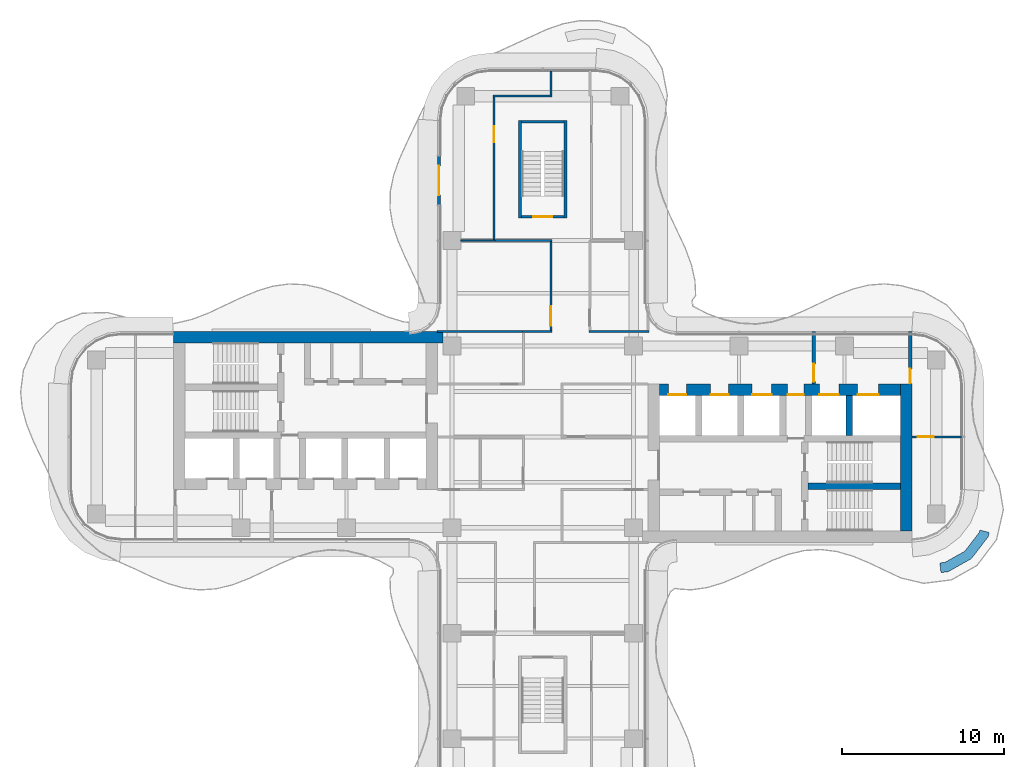
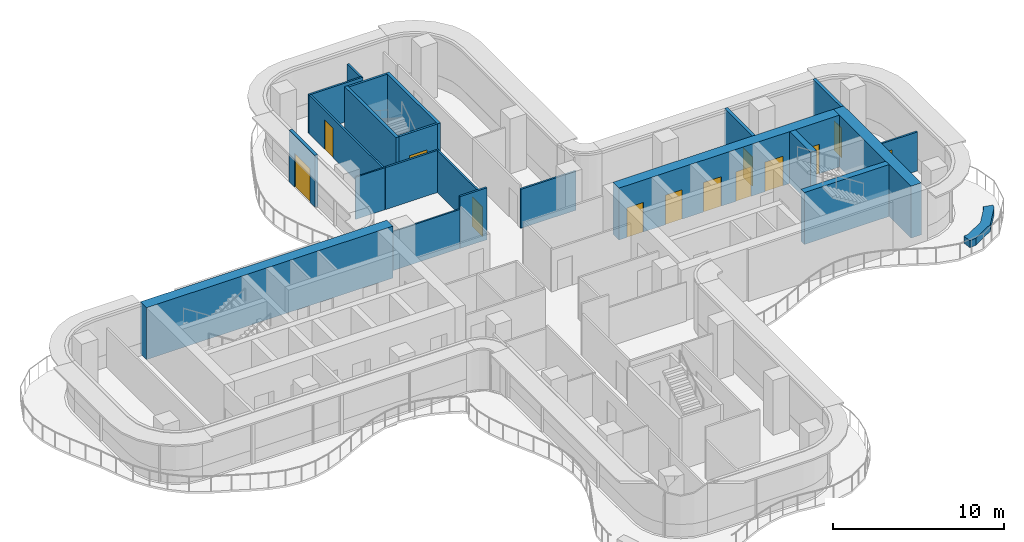
# One storey, part 14 of 17: 23 walls, 13 doors, 13 openings.
"""IFC4 building model written with IfcOpenShell, lengths in metres."""

from ifc_helpers import new_model, si_unit, direction, frame, frame_2d, origin, place, context, subcontext, project, spatial, polyline, rectangle, outline, extrude, source, transform, mapped, material, layer, layer_set, type_object, element, fill, save


model = new_model("IFC4")

# Units and contexts
model_context = context("Model", 3, precision=1e-05, world=origin(), true_north=direction((0.0, 1.0)))
body_context = subcontext(model_context, "Body", "Model", "MODEL_VIEW")
ifc_project = project(units=[si_unit("LENGTHUNIT", "METRE"), si_unit("AREAUNIT", "SQUARE_METRE"), si_unit("VOLUMEUNIT", "CUBIC_METRE"), si_unit("PLANEANGLEUNIT", "RADIAN"), si_unit("MASSUNIT", "GRAM", prefix="KILO")], contexts=[model_context])

# Site, building, storey
site_placement = place(None, origin())
site = spatial("IfcSite", under=ifc_project, at=site_placement, CompositionType="ELEMENT")
building_placement = place(site_placement, origin())
building = spatial("IfcBuilding", under=site, at=building_placement, Name="Trellis Farm Tower", CompositionType="ELEMENT")
storey_placement = place(building_placement, frame((0.0, 0.0, 232.39990234375)))
storey = spatial("IfcBuildingStorey", under=building, at=storey_placement, Name="L51", CompositionType="ELEMENT", Elevation=232.39990234375)

# Walls
ifc_material_1 = material(Name="Sandstone faced masonry planter", Category="masonry")
ifc_layer_1 = layer(ifc_material_1, 0.60009765625)
ifc_layer_set_1 = layer_set([ifc_layer_1], Name="PLANTER BED 600")
wall_type_1 = type_object("IfcWallType", Name="PLANTER BED 600", PredefinedType="USERDEFINED", material=ifc_layer_set_1)
wall_1_placement = place(storey_placement, origin())
element("IfcWall", 1, at=wall_1_placement, inside=storey, type_object=wall_type_1, Name="PLANTER bed", ObjectType="PLANTER", PredefinedType="USERDEFINED", context=body_context, shape_type="SweptSolid", body=[
    extrude(outline(polyline([(26.418212890625, -7.5048828125), (24.976318359375, -8.314453125), (24.542236328125, -8.364013671875), (24.473876953125, -7.76806640625), (24.7880859375, -7.73193359375), (26.01708984375, -7.0419921875), (26.90673828125, -5.882080078125), (26.939453125, -5.74658203125), (27.522705078125, -5.886962890625), (27.460205078125, -6.146240234375), (26.418212890625, -7.5048828125)])), origin(), (0.0, 0.0, 1.0), 0.5),
])
ifc_material_2 = material(Name="Concrete C60/75", Category="concrete")
ifc_layer_2 = layer(ifc_material_2, 0.699951171875)
ifc_layer_set_2 = layer_set([ifc_layer_2], Name="CORE OUTER WALL 700 CONCRETE C60/75")
wall_type_2 = type_object("IfcWallType", Name="CORE OUTER WALL 700 CONCRETE C60/75", PredefinedType="SHEAR", material=ifc_layer_set_2)
shared_shape_1 = source(origin(), body_context, "Body", "SweptSolid", [
    extrude(rectangle(XDim=9.050048828125, YDim=0.699951171875, at=frame_2d((4.52490234375, 0.0))), origin(), (0.0, 0.0, 1.0), 3.7001953125),
])
wall_2_placement = place(storey_placement, frame((22.39990234375, -5.800048828125, 0.0), z_axis=(0.0, 0.0, 1.0), x_axis=(0.0, 1.0, 0.0)))
element("IfcWall", 2, at=wall_2_placement, inside=storey, type_object=wall_type_2, Name="Core wall", PredefinedType="SHEAR", context=body_context, shape_type="MappedRepresentation", body=[
    mapped(shared_shape_1, transform((0.0, 0.0, 0.0))),
])
ifc_layer_3 = layer(ifc_material_2, 0.39990234375)
ifc_layer_set_3 = layer_set([ifc_layer_3], Name="CORE INNER WALL 400 CONCRETE C60/75")
wall_type_3 = type_object("IfcWallType", Name="CORE INNER WALL 400 CONCRETE C60/75", PredefinedType="SHEAR", material=ifc_layer_set_3)
shared_shape_2 = source(origin(), body_context, "Body", "SweptSolid", [
    extrude(rectangle(XDim=2.449951171875, YDim=0.39990234375, at=frame_2d((1.22509765625, 0.0))), origin(), (0.0, 0.0, 1.0), 3.7001953125),
])
wall_3_placement = place(storey_placement, frame((18.89990234375, 0.10009765625, 0.0), z_axis=(0.0, 0.0, 1.0), x_axis=(0.0, 1.0, 0.0)))
element("IfcWall", 3, at=wall_3_placement, inside=storey, type_object=wall_type_3, Name="Core wall", PredefinedType="SHEAR", context=body_context, shape_type="MappedRepresentation", body=[
    mapped(shared_shape_2, transform((0.0, 0.0, 0.0))),
])

# Wall, opening, door
ifc_material_3 = material(Name="Masonry blockwork", Category="masonry")
ifc_layer_4 = layer(ifc_material_3, 0.199951171875)
ifc_layer_set_4 = layer_set([ifc_layer_4], Name="FIRE LOBBY PARTITION 200 BLOCKWORK")
wall_type_4 = type_object("IfcWallType", Name="FIRE LOBBY PARTITION 200 BLOCKWORK", PredefinedType="PARTITIONING", material=ifc_layer_set_4)
shared_shape_3 = source(origin(), body_context, "Body", "SweptSolid", [
    extrude(rectangle(XDim=3.25, YDim=0.199951171875, at=frame_2d((1.625, 0.0))), origin(), (0.0, 0.0, 1.0), 3.7001953125),
])
wall_4_placement = place(storey_placement, frame((16.699951171875, 3.25, 0.0), z_axis=(0.0, 0.0, 1.0), x_axis=(0.0, 1.0, 0.0)))
wall_4 = element("IfcWall", 4, at=wall_4_placement, inside=storey, type_object=wall_type_4, Name="Fire-fighting lobby partition", PredefinedType="PARTITIONING", context=body_context, shape_type="MappedRepresentation", body=[
    mapped(shared_shape_3, transform((0.0, 0.0, 0.0))),
])
shared_shape_4 = source(origin(), body_context, "Body", "SweptSolid", [
    extrude(rectangle(XDim=1.10009765625, YDim=2.10009765625, at=frame_2d((0.550048828125, 1.050048828125))), frame((0.0, 0.110107421875, 0.0), z_axis=(0.0, -1.0, 0.0), x_axis=(1.0, 0.0, 0.0)), (0.0, 0.0, 1.0), 0.22021484375),
])
opening_1_placement = place(wall_4_placement, frame((0.14990234375, 0.0, 0.0)))
opening_1 = element("IfcOpeningElement", 5, at=opening_1_placement, cuts=wall_4, Name="Opening DC7", PredefinedType="OPENING", context=body_context, shape_type="MappedRepresentation", body=[
    mapped(shared_shape_4, transform((0.0, 0.0, 0.0))),
])
ifc_material_4 = material(Name="Steel", Category="steel")
door_type_1 = type_object("IfcDoorType", Name="CORE FIRE DOOR 1100 X 2100", OperationType="NOTDEFINED", PredefinedType="DOOR", material=ifc_material_4)
shared_shape_5 = source(origin(), body_context, "Body", "SweptSolid", [
    extrude(rectangle(XDim=1.10009765625, YDim=2.10009765625, at=frame_2d((0.550048828125, 1.050048828125))), frame((0.0, 0.02490234375, 0.0), z_axis=(0.0, -1.0, 0.0), x_axis=(1.0, 0.0, 0.0)), (0.0, 0.0, 1.0), 0.050048828125),
])
door_1_placement = place(opening_1_placement, origin())
door_1 = element("IfcDoor", 6, at=door_1_placement, inside=storey, type_object=door_type_1, Name="Core door", OperationType="SINGLE_SWING_RIGHT", OverallHeight=2.10009765625, OverallWidth=1.10009765625, PredefinedType="DOOR", context=body_context, shape_type="MappedRepresentation", body=[
    mapped(shared_shape_5, transform((0.0, 0.0, 0.0))),
])
fill(opening_1, door_1)

wall_5_placement = place(storey_placement, frame((22.64990234375, 3.25, 0.0), z_axis=(0.0, 0.0, 1.0), x_axis=(0.0, 1.0, 0.0)))
wall_5 = element("IfcWall", 7, at=wall_5_placement, inside=storey, type_object=wall_type_4, Name="Fire-fighting lobby partition", PredefinedType="PARTITIONING", context=body_context, shape_type="MappedRepresentation", body=[
    mapped(shared_shape_3, transform((0.0, 0.0, 0.0))),
])
shared_shape_6 = source(origin(), body_context, "Body", "SweptSolid", [
    extrude(rectangle(XDim=0.89990234375, YDim=2.10009765625, at=frame_2d((0.449951171875, 1.050048828125))), frame((0.0, 0.110107421875, 0.0), z_axis=(0.0, -1.0, 0.0), x_axis=(1.0, 0.0, 0.0)), (0.0, 0.0, 1.0), 0.22021484375),
])
opening_2_placement = place(wall_5_placement, frame((0.050048828125, 0.0, 0.0)))
opening_2 = element("IfcOpeningElement", 8, at=opening_2_placement, cuts=wall_5, Name="Opening DC8", PredefinedType="OPENING", context=body_context, shape_type="MappedRepresentation", body=[
    mapped(shared_shape_6, transform((0.0, 0.0, 0.0))),
])
door_type_2 = type_object("IfcDoorType", Name="CORE FIRE DOOR 900 X 2100", OperationType="NOTDEFINED", PredefinedType="DOOR", material=ifc_material_4)
shared_shape_7 = source(origin(), body_context, "Body", "SweptSolid", [
    extrude(rectangle(XDim=0.89990234375, YDim=2.10009765625, at=frame_2d((0.449951171875, 1.050048828125))), frame((0.0, 0.02490234375, 0.0), z_axis=(0.0, -1.0, 0.0), x_axis=(1.0, 0.0, 0.0)), (0.0, 0.0, 1.0), 0.050048828125),
])
door_2_placement = place(opening_2_placement, origin())
door_2 = element("IfcDoor", 9, at=door_2_placement, inside=storey, type_object=door_type_2, Name="Core door", OperationType="SINGLE_SWING_RIGHT", OverallHeight=2.10009765625, OverallWidth=0.89990234375, PredefinedType="DOOR", context=body_context, shape_type="MappedRepresentation", body=[
    mapped(shared_shape_7, transform((0.0, 0.0, 0.0))),
])
fill(opening_2, door_2)

# Wall, openings, doors
shared_shape_8 = source(origin(), body_context, "Body", "SweptSolid", [
    extrude(rectangle(XDim=14.85009765625, YDim=0.699951171875, at=frame_2d((7.425048828125, 0.0))), origin(), (0.0, 0.0, 1.0), 3.7001953125),
])
wall_6_placement = place(storey_placement, frame((7.199951171875, 2.89990234375, 0.0), z_axis=(0.0, 0.0, 1.0), x_axis=(1.0, 0.0, 0.0)))
wall_6 = element("IfcWall", 10, at=wall_6_placement, inside=storey, type_object=wall_type_2, Name="Core wall", PredefinedType="SHEAR", context=body_context, shape_type="MappedRepresentation", body=[
    mapped(shared_shape_8, transform((0.0, 0.0, 0.0))),
])
shared_shape_9 = source(origin(), body_context, "Body", "SweptSolid", [
    extrude(rectangle(XDim=1.10009765625, YDim=2.10009765625, at=frame_2d((0.550048828125, 1.050048828125))), frame((0.0, 0.360107421875, 0.0), z_axis=(0.0, -1.0, 0.0), x_axis=(1.0, 0.0, 0.0)), (0.0, 0.0, 1.0), 0.72021484375),
])
opening_3_placement = place(wall_6_placement, frame((0.550048828125, 0.0, 0.0)))
opening_3 = element("IfcOpeningElement", 11, at=opening_3_placement, cuts=wall_6, Name="Opening LD4", PredefinedType="OPENING", context=body_context, shape_type="MappedRepresentation", body=[
    mapped(shared_shape_9, transform((0.0, 0.0, 0.0))),
])
opening_4_placement = place(wall_6_placement, frame((3.14990234375, 0.0, 0.0)))
opening_4 = element("IfcOpeningElement", 12, at=opening_4_placement, cuts=wall_6, Name="Opening LD5", PredefinedType="OPENING", context=body_context, shape_type="MappedRepresentation", body=[
    mapped(shared_shape_9, transform((0.0, 0.0, 0.0))),
])
shared_shape_10 = source(origin(), body_context, "Body", "SweptSolid", [
    extrude(rectangle(XDim=1.199951171875, YDim=2.10009765625, at=frame_2d((0.60009765625, 1.050048828125))), frame((0.0, 0.360107421875, 0.0), z_axis=(0.0, -1.0, 0.0), x_axis=(1.0, 0.0, 0.0)), (0.0, 0.0, 1.0), 0.72021484375),
])
opening_5_placement = place(wall_6_placement, frame((5.699951171875, 0.0, 0.0)))
opening_5 = element("IfcOpeningElement", 13, at=opening_5_placement, cuts=wall_6, Name="Opening LD6", PredefinedType="OPENING", context=body_context, shape_type="MappedRepresentation", body=[
    mapped(shared_shape_10, transform((0.0, 0.0, 0.0))),
])
shared_shape_11 = source(origin(), body_context, "Body", "SweptSolid", [
    extrude(rectangle(XDim=1.300048828125, YDim=2.10009765625, at=frame_2d((0.64990234375, 1.050048828125))), frame((0.0, 0.360107421875, 0.0), z_axis=(0.0, -1.0, 0.0), x_axis=(1.0, 0.0, 0.0)), (0.0, 0.0, 1.0), 0.72021484375),
])
opening_6_placement = place(wall_6_placement, frame((12.199951171875, 0.0, 0.0)))
opening_6 = element("IfcOpeningElement", 14, at=opening_6_placement, cuts=wall_6, Name="Opening LD7", PredefinedType="OPENING", context=body_context, shape_type="MappedRepresentation", body=[
    mapped(shared_shape_11, transform((0.0, 0.0, 0.0))),
])
opening_7_placement = place(wall_6_placement, frame((9.85009765625, 0.0, 0.0)))
opening_7 = element("IfcOpeningElement", 15, at=opening_7_placement, cuts=wall_6, Name="Opening LD8", PredefinedType="OPENING", context=body_context, shape_type="MappedRepresentation", body=[
    mapped(shared_shape_10, transform((0.0, 0.0, 0.0))),
])
shared_shape_12 = source(origin(), body_context, "Body", "SweptSolid", [
    extrude(rectangle(XDim=1.0, YDim=2.10009765625, at=frame_2d((0.5, 1.050048828125))), frame((0.0, 0.360107421875, 0.0), z_axis=(0.0, -1.0, 0.0), x_axis=(1.0, 0.0, 0.0)), (0.0, 0.0, 1.0), 0.72021484375),
])
opening_8_placement = place(wall_6_placement, frame((7.89990234375, 0.0, 0.0)))
opening_8 = element("IfcOpeningElement", 16, at=opening_8_placement, cuts=wall_6, Name="Opening DC6", PredefinedType="OPENING", context=body_context, shape_type="MappedRepresentation", body=[
    mapped(shared_shape_12, transform((0.0, 0.0, 0.0))),
])
door_type_3 = type_object("IfcDoorType", Name="CORE FIRE DOOR 1000 X 2100", OperationType="NOTDEFINED", PredefinedType="DOOR", material=ifc_material_4)
shared_shape_13 = source(origin(), body_context, "Body", "SweptSolid", [
    extrude(rectangle(XDim=1.0, YDim=2.10009765625, at=frame_2d((0.5, 1.050048828125))), frame((0.0, -0.27490234375, 0.0), z_axis=(0.0, -1.0, 0.0), x_axis=(1.0, 0.0, 0.0)), (0.0, 0.0, 1.0), 0.050048828125),
])
door_3_placement = place(opening_8_placement, origin())
door_3 = element("IfcDoor", 17, at=door_3_placement, inside=storey, type_object=door_type_3, Name="Core door", OperationType="SINGLE_SWING_LEFT", OverallHeight=2.10009765625, OverallWidth=1.0, PredefinedType="DOOR", context=body_context, shape_type="MappedRepresentation", body=[
    mapped(shared_shape_13, transform((0.0, 0.0, 0.0))),
])
fill(opening_8, door_3)
ifc_material_5 = material(Name="Stainless steel", Category="steel")
door_type_4 = type_object("IfcDoorType", Name="LIFT LANDING DOOR 1300 X 2100", OperationType="DOUBLE_DOOR_SLIDING", PredefinedType="DOOR", material=ifc_material_5)
shared_shape_14 = source(origin(), body_context, "Body", "SweptSolid", [
    extrude(rectangle(XDim=1.300048828125, YDim=2.10009765625, at=frame_2d((0.64990234375, 1.050048828125))), frame((0.0, -0.27490234375, 0.0), z_axis=(0.0, -1.0, 0.0), x_axis=(1.0, 0.0, 0.0)), (0.0, 0.0, 1.0), 0.050048828125),
])
door_4_placement = place(opening_6_placement, origin())
door_4 = element("IfcDoor", 18, at=door_4_placement, inside=storey, type_object=door_type_4, Name="Lift landing door", OperationType="DOUBLE_DOOR_SLIDING", OverallHeight=2.10009765625, OverallWidth=1.300048828125, PredefinedType="DOOR", context=body_context, shape_type="MappedRepresentation", body=[
    mapped(shared_shape_14, transform((0.0, 0.0, 0.0))),
])
fill(opening_6, door_4)
door_type_5 = type_object("IfcDoorType", Name="LIFT LANDING DOOR 1200 X 2100", OperationType="DOUBLE_DOOR_SLIDING", PredefinedType="DOOR", material=ifc_material_5)
shared_shape_15 = source(origin(), body_context, "Body", "SweptSolid", [
    extrude(rectangle(XDim=1.199951171875, YDim=2.10009765625, at=frame_2d((0.60009765625, 1.050048828125))), frame((0.0, -0.27490234375, 0.0), z_axis=(0.0, -1.0, 0.0), x_axis=(1.0, 0.0, 0.0)), (0.0, 0.0, 1.0), 0.050048828125),
])
door_5_placement = place(opening_5_placement, origin())
door_5 = element("IfcDoor", 19, at=door_5_placement, inside=storey, type_object=door_type_5, Name="Lift landing door", OperationType="DOUBLE_DOOR_SLIDING", OverallHeight=2.10009765625, OverallWidth=1.199951171875, PredefinedType="DOOR", context=body_context, shape_type="MappedRepresentation", body=[
    mapped(shared_shape_15, transform((0.0, 0.0, 0.0))),
])
fill(opening_5, door_5)
door_6_placement = place(opening_7_placement, origin())
door_6 = element("IfcDoor", 20, at=door_6_placement, inside=storey, type_object=door_type_5, Name="Lift landing door", OperationType="DOUBLE_DOOR_SLIDING", OverallHeight=2.10009765625, OverallWidth=1.199951171875, PredefinedType="DOOR", context=body_context, shape_type="MappedRepresentation", body=[
    mapped(shared_shape_15, transform((0.0, 0.0, 0.0))),
])
fill(opening_7, door_6)
door_type_6 = type_object("IfcDoorType", Name="LIFT LANDING DOOR 1100 X 2100", OperationType="DOUBLE_DOOR_SLIDING", PredefinedType="DOOR", material=ifc_material_5)
shared_shape_16 = source(origin(), body_context, "Body", "SweptSolid", [
    extrude(rectangle(XDim=1.10009765625, YDim=2.10009765625, at=frame_2d((0.550048828125, 1.050048828125))), frame((0.0, -0.27490234375, 0.0), z_axis=(0.0, -1.0, 0.0), x_axis=(1.0, 0.0, 0.0)), (0.0, 0.0, 1.0), 0.050048828125),
])
door_7_placement = place(opening_3_placement, origin())
door_7 = element("IfcDoor", 21, at=door_7_placement, inside=storey, type_object=door_type_6, Name="Lift landing door", OperationType="DOUBLE_DOOR_SLIDING", OverallHeight=2.10009765625, OverallWidth=1.10009765625, PredefinedType="DOOR", context=body_context, shape_type="MappedRepresentation", body=[
    mapped(shared_shape_16, transform((0.0, 0.0, 0.0))),
])
fill(opening_3, door_7)
door_8_placement = place(opening_4_placement, origin())
door_8 = element("IfcDoor", 22, at=door_8_placement, inside=storey, type_object=door_type_6, Name="Lift landing door", OperationType="DOUBLE_DOOR_SLIDING", OverallHeight=2.10009765625, OverallWidth=1.10009765625, PredefinedType="DOOR", context=body_context, shape_type="MappedRepresentation", body=[
    mapped(shared_shape_16, transform((0.0, 0.0, 0.0))),
])
fill(opening_4, door_8)

# Walls
shared_shape_17 = source(origin(), body_context, "Body", "SweptSolid", [
    extrude(rectangle(XDim=5.699951171875, YDim=0.39990234375, at=frame_2d((2.85009765625, 0.0))), origin(), (0.0, 0.0, 1.0), 3.7001953125),
])
wall_7_placement = place(storey_placement, frame((16.35009765625, -3.050048828125, 0.0), z_axis=(0.0, 0.0, 1.0), x_axis=(1.0, 0.0, 0.0)))
element("IfcWall", 23, at=wall_7_placement, inside=storey, type_object=wall_type_3, Name="Core wall", PredefinedType="SHEAR", context=body_context, shape_type="MappedRepresentation", body=[
    mapped(shared_shape_17, transform((0.0, 0.0, 0.0))),
])
shared_shape_18 = source(origin(), body_context, "Body", "SweptSolid", [
    extrude(rectangle(XDim=16.60009765625, YDim=0.699951171875, at=frame_2d((8.300048828125, 0.0))), origin(), (0.0, 0.0, 1.0), 3.7001953125),
])
wall_8_placement = place(storey_placement, frame((-6.14990234375, 6.14990234375, 0.0), z_axis=(0.0, 0.0, 1.0), x_axis=(-1.0, 0.0, 0.0)))
element("IfcWall", 24, at=wall_8_placement, inside=storey, type_object=wall_type_2, Name="Core wall", PredefinedType="SHEAR", context=body_context, shape_type="MappedRepresentation", body=[
    mapped(shared_shape_18, transform((0.0, 0.0, 0.0))),
])
ifc_layer_5 = layer(ifc_material_2, 0.199951171875)
ifc_layer_set_5 = layer_set([ifc_layer_5], Name="CORE STAIR ENCLOSURE WALL 200 CONCRETE C60/75")
wall_type_5 = type_object("IfcWallType", Name="CORE STAIR ENCLOSURE WALL 200 CONCRETE C60/75", PredefinedType="SHEAR", material=ifc_layer_set_5)
shared_shape_19 = source(origin(), body_context, "Body", "SweptSolid", [
    extrude(rectangle(XDim=6.0, YDim=0.199951171875, at=frame_2d((3.0, 0.0))), origin(), (0.0, 0.0, 1.0), 3.7001953125),
])
for number, where, z_axis, x_axis, name in (
    (25, (-1.39990234375, 13.5, 0.0), (0.0, 0.0, 1.0), (0.0, 1.0, 0.0), "Stair enclosure wall"),
    (26, (1.39990234375, 13.5, 0.0), (0.0, 0.0, 1.0), (0.0, 1.0, 0.0), "Stair enclosure wall"),
):
    element("IfcWall", number, at=place(storey_placement, frame(where, z_axis=z_axis, x_axis=x_axis)), inside=storey, type_object=wall_type_5, Name=name, PredefinedType="SHEAR", context=body_context, shape_type="MappedRepresentation", body=[
        mapped(shared_shape_19, transform((0.0, 0.0, 0.0))),
    ])

# Wall, opening, door
ifc_layer_6 = layer(ifc_material_2, 0.14990234375)
ifc_layer_set_6 = layer_set([ifc_layer_6], Name="CORE STAIR ENCLOSURE WALL 150 CONCRETE C60/75")
wall_type_6 = type_object("IfcWallType", Name="CORE STAIR ENCLOSURE WALL 150 CONCRETE C60/75", PredefinedType="SHEAR", material=ifc_layer_set_6)
shared_shape_20 = source(origin(), body_context, "Body", "SweptSolid", [
    extrude(rectangle(XDim=2.60009765625, YDim=0.14990234375, at=frame_2d((1.300048828125, 0.0))), origin(), (0.0, 0.0, 1.0), 3.7001953125),
])
wall_9_placement = place(storey_placement, frame((-1.300048828125, 13.574951171875, 0.0), z_axis=(0.0, 0.0, 1.0), x_axis=(1.0, 0.0, 0.0)))
wall_9 = element("IfcWall", 27, at=wall_9_placement, inside=storey, type_object=wall_type_6, Name="Stair enclosure wall", PredefinedType="SHEAR", context=body_context, shape_type="MappedRepresentation", body=[
    mapped(shared_shape_20, transform((0.0, 0.0, 0.0))),
])
shared_shape_21 = source(origin(), body_context, "Body", "SweptSolid", [
    extrude(rectangle(XDim=1.199951171875, YDim=2.10009765625, at=frame_2d((0.60009765625, 1.050048828125))), frame((0.0, 0.0849609375, 0.0), z_axis=(0.0, -1.0, 0.0), x_axis=(1.0, 0.0, 0.0)), (0.0, 0.0, 1.0), 0.169921875),
])
opening_9_placement = place(wall_9_placement, frame((0.699951171875, 0.0, 0.0)))
opening_9 = element("IfcOpeningElement", 28, at=opening_9_placement, cuts=wall_9, Name="Opening DC173", PredefinedType="OPENING", context=body_context, shape_type="MappedRepresentation", body=[
    mapped(shared_shape_21, transform((0.0, 0.0, 0.0))),
])
door_type_7 = type_object("IfcDoorType", Name="CORE FIRE DOOR 1200 X 2100", OperationType="NOTDEFINED", PredefinedType="DOOR", material=ifc_material_4)
shared_shape_22 = source(origin(), body_context, "Body", "SweptSolid", [
    extrude(rectangle(XDim=1.199951171875, YDim=2.10009765625, at=frame_2d((0.60009765625, 1.050048828125))), frame((0.0, 0.02490234375, 0.0), z_axis=(0.0, -1.0, 0.0), x_axis=(1.0, 0.0, 0.0)), (0.0, 0.0, 1.0), 0.050048828125),
])
door_9_placement = place(opening_9_placement, origin())
door_9 = element("IfcDoor", 29, at=door_9_placement, inside=storey, type_object=door_type_7, Name="Core door", OperationType="SINGLE_SWING_LEFT", OverallHeight=2.10009765625, OverallWidth=1.199951171875, PredefinedType="DOOR", context=body_context, shape_type="MappedRepresentation", body=[
    mapped(shared_shape_22, transform((0.0, 0.0, 0.0))),
])
fill(opening_9, door_9)

# Wall
wall_10_placement = place(storey_placement, frame((-1.300048828125, 19.425048828125, 0.0), z_axis=(0.0, 0.0, 1.0), x_axis=(1.0, 0.0, 0.0)))
element("IfcWall", 30, at=wall_10_placement, inside=storey, type_object=wall_type_6, Name="Stair enclosure wall", PredefinedType="SHEAR", context=body_context, shape_type="MappedRepresentation", body=[
    mapped(shared_shape_20, transform((0.0, 0.0, 0.0))),
])

# Wall, opening, door
ifc_material_6 = material(Name="Sandstone faced insulated wall", Category="masonry")
ifc_layer_7 = layer(ifc_material_6, 0.199951171875)
ifc_layer_set_7 = layer_set([ifc_layer_7], Name="EXTERNAL INFILL WALL 200")
wall_type_7 = type_object("IfcWallType", Name="EXTERNAL INFILL WALL 200", PredefinedType="SOLIDWALL", material=ifc_layer_set_7)
shared_shape_23 = source(origin(), body_context, "Body", "SweptSolid", [
    extrude(rectangle(XDim=3.0, YDim=0.199951171875, at=frame_2d((1.5, 0.0))), origin(), (0.0, 0.0, 1.0), 3.7001953125),
])
wall_11_placement = place(storey_placement, frame((-6.39990234375, 17.300048828125, 0.0), z_axis=(0.0, 0.0, 1.0), x_axis=(0.0, -1.0, 0.0)))
wall_11 = element("IfcWall", 31, at=wall_11_placement, inside=storey, type_object=wall_type_7, Name="EW1 01", PredefinedType="SOLIDWALL", context=body_context, shape_type="MappedRepresentation", body=[
    mapped(shared_shape_23, transform((0.0, 0.0, 0.0))),
])
shared_shape_24 = source(origin(), body_context, "Body", "SweptSolid", [
    extrude(rectangle(XDim=1.800048828125, YDim=2.39990234375, at=frame_2d((0.89990234375, 1.199951171875))), frame((0.0, 0.110107421875, 0.0), z_axis=(0.0, -1.0, 0.0), x_axis=(1.0, 0.0, 0.0)), (0.0, 0.0, 1.0), 0.22021484375),
])
opening_10_placement = place(wall_11_placement, frame((0.60009765625, 0.0, 0.0)))
opening_10 = element("IfcOpeningElement", 32, at=opening_10_placement, cuts=wall_11, Name="Opening ED1", PredefinedType="OPENING", context=body_context, shape_type="MappedRepresentation", body=[
    mapped(shared_shape_24, transform((0.0, 0.0, 0.0))),
])
ifc_material_7 = material(Name="Aluminium framed glazed door", Category="aluminium")
door_type_8 = type_object("IfcDoorType", Name="BALCONY DOOR 1800x2400", OperationType="DOUBLE_DOOR_SINGLE_SWING", PredefinedType="DOOR", material=ifc_material_7)
shared_shape_25 = source(origin(), body_context, "Body", "SweptSolid", [
    extrude(rectangle(XDim=1.800048828125, YDim=2.39990234375, at=frame_2d((0.89990234375, 1.199951171875))), frame((0.0, 0.02490234375, 0.0), z_axis=(0.0, -1.0, 0.0), x_axis=(1.0, 0.0, 0.0)), (0.0, 0.0, 1.0), 0.050048828125),
])
door_10_placement = place(opening_10_placement, origin())
door_10 = element("IfcDoor", 33, at=door_10_placement, inside=storey, type_object=door_type_8, Name="Balcony door", OperationType="DOUBLE_DOOR_SINGLE_SWING", OverallHeight=2.39990234375, OverallWidth=1.800048828125, PredefinedType="DOOR", context=body_context, shape_type="MappedRepresentation", body=[
    mapped(shared_shape_25, transform((0.0, 0.0, 0.0))),
])
fill(opening_10, door_10)

ifc_material_8 = material(Name="Plasterboard on steel studs, mineral wool", Category="steel")
ifc_layer_8 = layer(ifc_material_8, 0.125)
ifc_layer_set_8 = layer_set([ifc_layer_8], Name="PARTITION 125 STUD EI 60")
wall_type_8 = type_object("IfcWallType", Name="PARTITION 125 STUD EI 60", PredefinedType="PARTITIONING", material=ifc_layer_set_8)
shared_shape_26 = source(origin(), body_context, "Body", "SweptSolid", [
    extrude(rectangle(XDim=5.47509765625, YDim=0.125, at=frame_2d((2.737548828125, 0.0))), origin(), (0.0, 0.0, 1.0), 2.99658203125),
])
wall_12_placement = place(storey_placement, frame((0.5, 12.03759765625, 0.0), z_axis=(0.0, 0.0, 1.0), x_axis=(0.0, -1.0, 0.0)))
wall_12 = element("IfcWall", 34, at=wall_12_placement, inside=storey, type_object=wall_type_8, Name="Partition PW1", PredefinedType="PARTITIONING", context=body_context, shape_type="MappedRepresentation", body=[
    mapped(shared_shape_26, transform((0.0, 0.0, 0.0))),
])
shared_shape_27 = source(origin(), body_context, "Body", "SweptSolid", [
    extrude(rectangle(XDim=1.199951171875, YDim=2.10009765625, at=frame_2d((0.60009765625, 1.050048828125))), frame((0.0, 0.072509765625, 0.0), z_axis=(0.0, -1.0, 0.0), x_axis=(1.0, 0.0, 0.0)), (0.0, 0.0, 1.0), 0.14501953125),
])
opening_11_placement = place(wall_12_placement, frame((3.987548828125, 0.0, 0.0)))
opening_11 = element("IfcOpeningElement", 35, at=opening_11_placement, cuts=wall_12, Name="Opening D602", PredefinedType="OPENING", context=body_context, shape_type="MappedRepresentation", body=[
    mapped(shared_shape_27, transform((0.0, 0.0, 0.0))),
])
ifc_material_9 = material(Name="Fire-rated timber door leaf in a hollow metal frame", Category="wood")
door_type_9 = type_object("IfcDoorType", Name="DOOR 1200x2100 FD30S", OperationType="NOTDEFINED", PredefinedType="DOOR", material=ifc_material_9)
door_11_placement = place(opening_11_placement, origin())
door_11 = element("IfcDoor", 36, at=door_11_placement, inside=storey, type_object=door_type_9, Name="Door D602", OperationType="SINGLE_SWING_RIGHT", OverallHeight=2.10009765625, OverallWidth=1.199951171875, PredefinedType="DOOR", context=body_context, shape_type="MappedRepresentation", body=[
    mapped(shared_shape_22, transform((0.0, 0.0, 0.0))),
])
fill(opening_11, door_11)

# Walls
ifc_material_10 = material(Name="Plasterboard on steel studs", Category="steel")
ifc_layer_9 = layer(ifc_material_10, 0.10009765625)
ifc_layer_set_9 = layer_set([ifc_layer_9], Name="PARTITION 100 STUD EI 30")
wall_type_9 = type_object("IfcWallType", Name="PARTITION 100 STUD EI 30", PredefinedType="PARTITIONING", material=ifc_layer_set_9)
shared_shape_28 = source(origin(), body_context, "Body", "SweptSolid", [
    extrude(rectangle(XDim=5.362548828125, YDim=0.10009765625, at=frame_2d((2.68115234375, 0.0))), origin(), (0.0, 0.0, 1.0), 2.780029296875),
])
wall_13_placement = place(storey_placement, frame((-6.5, 6.5, 0.0), z_axis=(0.0, 0.0, 1.0), x_axis=(1.0, 0.0, 0.0)))
element("IfcWall", 37, at=wall_13_placement, inside=storey, type_object=wall_type_9, Name="Partition PW2", PredefinedType="PARTITIONING", context=body_context, shape_type="MappedRepresentation", body=[
    mapped(shared_shape_28, transform((0.0, 0.0, 0.0))),
])
shared_shape_29 = source(origin(), body_context, "Body", "SweptSolid", [
    extrude(rectangle(XDim=3.72509765625, YDim=0.125, at=frame_2d((1.862548828125, 0.0))), origin(), (0.0, 0.0, 1.0), 2.780029296875),
])
wall_14_placement = place(storey_placement, frame((2.83740234375, 6.5, 0.0), z_axis=(0.0, 0.0, 1.0), x_axis=(1.0, 0.0, 0.0)))
element("IfcWall", 38, at=wall_14_placement, inside=storey, type_object=wall_type_8, Name="Partition PW1", PredefinedType="PARTITIONING", context=body_context, shape_type="MappedRepresentation", body=[
    mapped(shared_shape_29, transform((0.0, 0.0, 0.0))),
])
shared_shape_30 = source(origin(), body_context, "Body", "SweptSolid", [
    extrude(rectangle(XDim=3.625, YDim=0.125, at=frame_2d((1.8125, 0.0))), origin(), (0.0, 0.0, 1.0), 2.99658203125),
])
wall_15_placement = place(storey_placement, frame((0.5625, 12.10009765625, 0.0), z_axis=(0.0, 0.0, 1.0), x_axis=(-1.0, 0.0, 0.0)))
element("IfcWall", 39, at=wall_15_placement, inside=storey, type_object=wall_type_8, Name="Partition PW1", PredefinedType="PARTITIONING", context=body_context, shape_type="MappedRepresentation", body=[
    mapped(shared_shape_30, transform((0.0, 0.0, 0.0))),
])
shared_shape_31 = source(origin(), body_context, "Body", "SweptSolid", [
    extrude(rectangle(XDim=1.824951171875, YDim=0.125, at=frame_2d((0.91259765625, 0.0))), origin(), (0.0, 0.0, 1.0), 3.7001953125),
])
wall_16_placement = place(storey_placement, frame((-1.262451171875, 6.5, 0.0), z_axis=(0.0, 0.0, 1.0), x_axis=(1.0, 0.0, 0.0)))
element("IfcWall", 40, at=wall_16_placement, inside=storey, type_object=wall_type_8, Name="Partition PW1", PredefinedType="PARTITIONING", context=body_context, shape_type="MappedRepresentation", body=[
    mapped(shared_shape_31, transform((0.0, 0.0, 0.0))),
])
shared_shape_32 = source(origin(), body_context, "Body", "SweptSolid", [
    extrude(rectangle(XDim=1.487548828125, YDim=0.125, at=frame_2d((0.74365234375, 0.0))), origin(), (0.0, 0.0, 1.0), 2.780029296875),
])
wall_17_placement = place(storey_placement, frame((0.5, 22.550048828125, 0.0), z_axis=(0.0, 0.0, 1.0), x_axis=(0.0, -1.0, 0.0)))
element("IfcWall", 41, at=wall_17_placement, inside=storey, type_object=wall_type_8, Name="Partition PW1", PredefinedType="PARTITIONING", context=body_context, shape_type="MappedRepresentation", body=[
    mapped(shared_shape_32, transform((0.0, 0.0, 0.0))),
])
shared_shape_33 = source(origin(), body_context, "Body", "SweptSolid", [
    extrude(rectangle(XDim=3.625, YDim=0.125, at=frame_2d((1.8125, 0.0))), origin(), (0.0, 0.0, 1.0), 2.780029296875),
])
wall_18_placement = place(storey_placement, frame((-3.0625, 21.0, 0.0), z_axis=(0.0, 0.0, 1.0), x_axis=(1.0, 0.0, 0.0)))
element("IfcWall", 42, at=wall_18_placement, inside=storey, type_object=wall_type_8, Name="Partition PW1", PredefinedType="PARTITIONING", context=body_context, shape_type="MappedRepresentation", body=[
    mapped(shared_shape_33, transform((0.0, 0.0, 0.0))),
])

# Wall, opening, door
shared_shape_34 = source(origin(), body_context, "Body", "SweptSolid", [
    extrude(rectangle(XDim=8.78759765625, YDim=0.125, at=frame_2d((4.393798828125, 0.0))), origin(), (0.0, 0.0, 1.0), 2.780029296875),
])
wall_19_placement = place(storey_placement, frame((-3.0, 12.14990234375, 0.0), z_axis=(0.0, 0.0, 1.0), x_axis=(0.0, 1.0, 0.0)))
wall_19 = element("IfcWall", 43, at=wall_19_placement, inside=storey, type_object=wall_type_8, Name="Partition PW1", PredefinedType="PARTITIONING", context=body_context, shape_type="MappedRepresentation", body=[
    mapped(shared_shape_34, transform((0.0, 0.0, 0.0))),
])
shared_shape_35 = source(origin(), body_context, "Body", "SweptSolid", [
    extrude(rectangle(XDim=1.0, YDim=2.10009765625, at=frame_2d((0.5, 1.050048828125))), frame((0.0, 0.072509765625, 0.0), z_axis=(0.0, -1.0, 0.0), x_axis=(1.0, 0.0, 0.0)), (0.0, 0.0, 1.0), 0.14501953125),
])
opening_12_placement = place(wall_19_placement, frame((6.0, 0.0, 0.0)))
opening_12 = element("IfcOpeningElement", 44, at=opening_12_placement, cuts=wall_19, Name="Opening D110", PredefinedType="OPENING", context=body_context, shape_type="MappedRepresentation", body=[
    mapped(shared_shape_35, transform((0.0, 0.0, 0.0))),
])
door_type_10 = type_object("IfcDoorType", Name="DOOR 1000x2100 FD30S", OperationType="NOTDEFINED", PredefinedType="DOOR", material=ifc_material_9)
shared_shape_36 = source(origin(), body_context, "Body", "SweptSolid", [
    extrude(rectangle(XDim=1.0, YDim=2.10009765625, at=frame_2d((0.5, 1.050048828125))), frame((0.0, 0.02490234375, 0.0), z_axis=(0.0, -1.0, 0.0), x_axis=(1.0, 0.0, 0.0)), (0.0, 0.0, 1.0), 0.050048828125),
])
door_12_placement = place(opening_12_placement, origin())
door_12 = element("IfcDoor", 45, at=door_12_placement, inside=storey, type_object=door_type_10, Name="Door D110", OperationType="SINGLE_SWING_RIGHT", OverallHeight=2.10009765625, OverallWidth=1.0, PredefinedType="DOOR", context=body_context, shape_type="MappedRepresentation", body=[
    mapped(shared_shape_36, transform((0.0, 0.0, 0.0))),
])
fill(opening_12, door_12)

# Wall
shared_shape_37 = source(origin(), body_context, "Body", "SweptSolid", [
    extrude(rectangle(XDim=2.112548828125, YDim=0.10009765625, at=frame_2d((1.05615234375, 0.0))), origin(), (0.0, 0.0, 1.0), 2.99658203125),
])
wall_20_placement = place(storey_placement, frame((-5.050048828125, 12.10009765625, 0.0), z_axis=(0.0, 0.0, 1.0), x_axis=(1.0, 0.0, 0.0)))
element("IfcWall", 46, at=wall_20_placement, inside=storey, type_object=wall_type_9, Name="Partition PW2", PredefinedType="PARTITIONING", context=body_context, shape_type="MappedRepresentation", body=[
    mapped(shared_shape_37, transform((0.0, 0.0, 0.0))),
])

# Wall, opening, door
shared_shape_38 = source(origin(), body_context, "Body", "SweptSolid", [
    extrude(rectangle(XDim=3.050048828125, YDim=0.125, at=frame_2d((1.52490234375, 0.0))), origin(), (0.0, 0.0, 1.0), 2.780029296875),
])
wall_21_placement = place(storey_placement, frame((25.800048828125, 0.0, 0.0), z_axis=(0.0, 0.0, 1.0), x_axis=(-1.0, 0.0, 0.0)))
wall_21 = element("IfcWall", 47, at=wall_21_placement, inside=storey, type_object=wall_type_8, Name="Partition PW1", PredefinedType="PARTITIONING", context=body_context, shape_type="MappedRepresentation", body=[
    mapped(shared_shape_38, transform((0.0, 0.0, 0.0))),
])
opening_13_placement = place(wall_21_placement, frame((1.699951171875, 0.0, 0.0)))
opening_13 = element("IfcOpeningElement", 48, at=opening_13_placement, cuts=wall_21, Name="Opening D107", PredefinedType="OPENING", context=body_context, shape_type="MappedRepresentation", body=[
    mapped(shared_shape_35, transform((0.0, 0.0, 0.0))),
])
door_13_placement = place(opening_13_placement, origin())
door_13 = element("IfcDoor", 49, at=door_13_placement, inside=storey, type_object=door_type_10, Name="Door D107", OperationType="SINGLE_SWING_RIGHT", OverallHeight=2.10009765625, OverallWidth=1.0, PredefinedType="DOOR", context=body_context, shape_type="MappedRepresentation", body=[
    mapped(shared_shape_36, transform((0.0, 0.0, 0.0))),
])
fill(opening_13, door_13)

save(model, "model.ifc")
